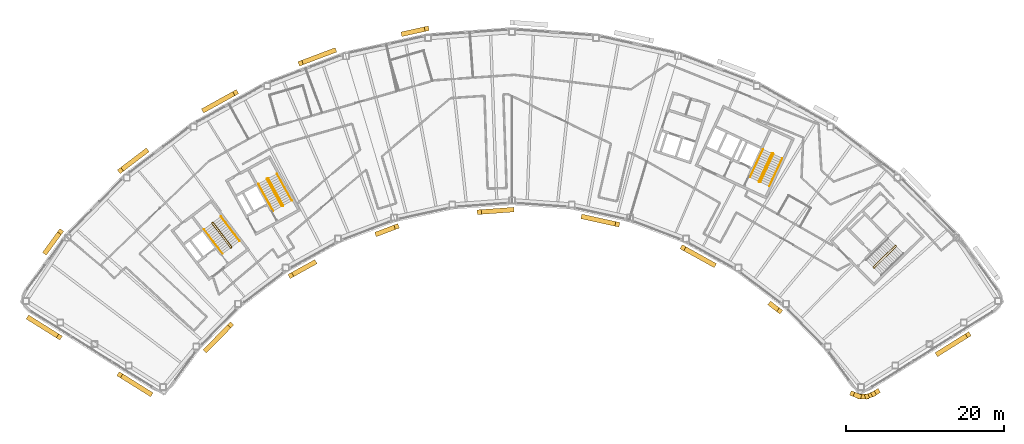
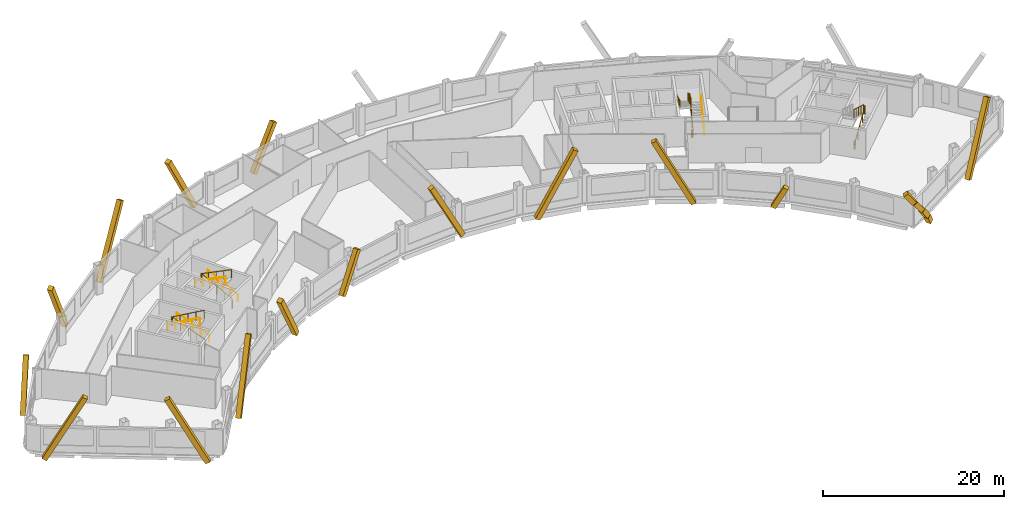
# One storey, part 11 of 12: 19 coverings, 10 railings.
"""IFC4 building model written with IfcOpenShell, lengths in metres."""

import ifcopenshell
import ifcopenshell.guid

model = None  # the IFC model being written
_history = None  # IfcOwnerHistory: only IFC2X3 demands one
_inside = {}  # id of a spatial element -> (the spatial element, [elements in it])
_under = {}  # id of a project, library or spatial element -> (it, [spatial elements below it])
_declared = {}  # id of a project -> (the project, [libraries it declares])
_typed = {}  # id of a type object -> (the type object, [elements of that type])
_made_of = {}  # id of a material, layer set ... -> (it, [elements and type objects made of it])


def new_model(schema):
    """Start an empty IFC model of exactly this schema.

    Asked for "IFC4X3", IfcOpenShell would pick the latest addendum, in which some entities
    have other attributes; the version numbers below select the first issue.
    IFC2X3 requires an IfcOwnerHistory on every rooted entity: one is made here for all.
    """
    global model, _history
    if schema == "IFC4X3":
        model = ifcopenshell.file(schema_version=(4, 3, 0, 0))
    else:
        model = ifcopenshell.file(schema=schema)
    _inside.clear()
    _under.clear()
    _declared.clear()
    _typed.clear()
    _made_of.clear()
    _history = None
    if model.schema == "IFC2X3":
        org = make("IfcOrganization", Name="unknown")
        user = make(
            "IfcPersonAndOrganization",
            ThePerson=make("IfcPerson", FamilyName="unknown"),
            TheOrganization=org,
        )
        app = make(
            "IfcApplication",
            ApplicationDeveloper=org,
            Version="unknown",
            ApplicationFullName="unknown",
            ApplicationIdentifier="unknown",
        )
        _history = make(
            "IfcOwnerHistory",
            OwningUser=user,
            OwningApplication=app,
            ChangeAction="ADDED",
            CreationDate=0,
        )
    return model


def make(cls, **values):
    """One entity of the class cls with the attributes given. An attribute that is None is left unset."""
    return model.create_entity(
        cls, **{name: value for name, value in values.items() if value is not None}
    )


def rooted(cls, **values):
    """An entity with a GlobalId (a new one), such as an element, a storey or a relation."""
    return make(cls, GlobalId=ifcopenshell.guid.new(), OwnerHistory=_history, **values)


def si_unit(unit_type, name, prefix=None):
    """IfcSIUnit, for example si_unit("LENGTHUNIT", "METRE", prefix="MILLI")."""
    return make("IfcSIUnit", UnitType=unit_type, Prefix=prefix, Name=name)


def assignment(units):
    """IfcUnitAssignment: the units of a project."""
    return None if units is None else make("IfcUnitAssignment", Units=units)


def point(xyz):
    """IfcCartesianPoint."""
    return None if xyz is None else make("IfcCartesianPoint", Coordinates=xyz)


def direction(xyz):
    """IfcDirection."""
    return None if xyz is None else make("IfcDirection", DirectionRatios=xyz)


def frame(location, z_axis=None, x_axis=None):
    """IfcAxis2Placement3D, a coordinate frame: its origin and axes. An axis left out is left unset."""
    return make(
        "IfcAxis2Placement3D",
        Location=point(location),
        Axis=direction(z_axis),
        RefDirection=direction(x_axis),
    )


def frame_2d(location, x_axis=None):
    """IfcAxis2Placement2D, a coordinate frame in the plane: its origin and x axis."""
    return make(
        "IfcAxis2Placement2D", Location=point(location), RefDirection=direction(x_axis)
    )


def origin():
    """The frame at (0, 0, 0) with its axes left unset."""
    return frame((0.0, 0.0, 0.0))


def origin_2d():
    """The frame at (0, 0) in the plane with its x axis left unset."""
    return frame_2d((0.0, 0.0))


def place(relative_to, where):
    """IfcLocalPlacement: puts the frame where relative to a parent placement (None: the world)."""
    return make(
        "IfcLocalPlacement", PlacementRelTo=relative_to, RelativePlacement=where
    )


def context(
    kind, dimensions, precision=None, world=None, true_north=None, identifier=None
):
    """IfcGeometricRepresentationContext, for example the 3D "Model" context."""
    return make(
        "IfcGeometricRepresentationContext",
        ContextIdentifier=identifier,
        ContextType=kind,
        CoordinateSpaceDimension=dimensions,
        Precision=precision,
        WorldCoordinateSystem=world,
        TrueNorth=true_north,
    )


def subcontext(parent, identifier, kind, view, scale=None):
    """IfcGeometricRepresentationSubContext, for example "Body" below "Model"."""
    return make(
        "IfcGeometricRepresentationSubContext",
        ContextIdentifier=identifier,
        ContextType=kind,
        ParentContext=parent,
        TargetScale=scale,
        TargetView=view,
    )


def project(units=None, contexts=None):
    """IfcProject with its units and contexts."""
    return rooted(
        "IfcProject",
        Name="project",
        RepresentationContexts=contexts,
        UnitsInContext=assignment(units),
    )


def spatial(cls, under=None, at=None, **own):
    """A site, building, storey or space (cls), placed at a placement, below another one or the project."""
    s = rooted(cls, ObjectPlacement=at, **own)
    if under is not None:
        _under.setdefault(under.id(), (under, []))[1].append(s)
    return s


def profile(cls, at=None, kind="AREA", **sizes):
    """A parametric profile (cls). Its sizes go by their IFC names, for example OverallWidth=200.0."""
    return make(cls, ProfileType=kind, Position=at, **sizes)


def rectangle(**sizes):
    """IfcRectangleProfileDef."""
    return profile("IfcRectangleProfileDef", **sizes)


def circle(**sizes):
    """IfcCircleProfileDef."""
    return profile("IfcCircleProfileDef", **sizes)


def extrude(swept, where, along, depth):
    """IfcExtrudedAreaSolid: the profile swept, set in the frame where, extruded along a direction by depth."""
    return make(
        "IfcExtrudedAreaSolid",
        SweptArea=swept,
        Position=where,
        ExtrudedDirection=direction(along),
        Depth=depth,
    )


def shape(context_of_items, identifier, shape_type, items):
    """IfcShapeRepresentation: the items that make up one representation, for example the "Body"."""
    return make(
        "IfcShapeRepresentation",
        ContextOfItems=context_of_items,
        RepresentationIdentifier=identifier,
        RepresentationType=shape_type,
        Items=items,
    )


def material(Name=None, Category=None):
    """IfcMaterial."""
    return make("IfcMaterial", Name=Name, Category=Category)


def material_profile(
    of_material, cross_section, Name=None, Category=None, Priority=None
):
    """IfcMaterialProfile: a cross section and its material."""
    return make(
        "IfcMaterialProfile",
        Name=Name,
        Material=of_material,
        Profile=cross_section,
        Priority=Priority,
        Category=Category,
    )


def profile_set(profiles, Name=None, composite=None):
    """IfcMaterialProfileSet."""
    return make(
        "IfcMaterialProfileSet",
        Name=Name,
        MaterialProfiles=profiles,
        CompositeProfile=composite,
    )


def made_of(thing, what):
    """Note that an element or type object is made of a material, layer set ...; save() writes the relation."""
    if what is not None:
        _made_of.setdefault(what.id(), (what, []))[1].append(thing)
    return thing


def type_object(cls, material=None, **own):
    """A type object (cls), such as IfcWallType, which elements share."""
    return made_of(rooted(cls, **own), material)


def element(
    cls,
    number,
    at=None,
    inside=None,
    cuts=None,
    type_object=None,
    material=None,
    context=None,
    identifier="Body",
    shape_type=None,
    held_by="IfcProductDefinitionShape",
    body=None,
    shapes=None,
    **own,
):
    """One element of the class cls, such as IfcWall. Its Tag is "e" and its number.

    at: its placement. inside: the storey or other place that contains it. cuts: it is an
    opening in that element (IfcRelVoidsElement). A single representation is given by context,
    identifier, shape_type and body (its items); several are given by shapes. held_by: the class
    of the entity that holds the representations. save() writes the other relations.
    """
    e = rooted(cls, Tag="e%d" % number, ObjectPlacement=at, **own)
    if body is not None:
        shapes = [shape(context, identifier, shape_type, body)]
    if shapes is not None:
        e.Representation = make(held_by, Representations=shapes)
    if inside is not None:
        _inside.setdefault(inside.id(), (inside, []))[1].append(e)
    if cuts is not None:
        rooted(
            "IfcRelVoidsElement", RelatingBuildingElement=cuts, RelatedOpeningElement=e
        )
    if type_object is not None:
        _typed.setdefault(type_object.id(), (type_object, []))[1].append(e)
    return made_of(e, material)


def aggregate(whole, parts):
    """IfcRelAggregates: a whole, such as a stair, and the parts it consists of."""
    return rooted("IfcRelAggregates", RelatingObject=whole, RelatedObjects=parts)


def save(model, path):
    """Write the relations noted so far, then the file.

    IfcRelAggregates (storeys below a building ...), IfcRelContainedInSpatialStructure (elements
    in a storey), IfcRelDefinesByType, IfcRelAssociatesMaterial and IfcRelDeclares: one each for
    every whole, place, type object, material and project.
    """
    for whole, parts in _under.values():
        aggregate(whole, parts)
    for where, things in _inside.values():
        rooted(
            "IfcRelContainedInSpatialStructure",
            RelatedElements=things,
            RelatingStructure=where,
        )
    for kind, things in _typed.values():
        rooted("IfcRelDefinesByType", RelatedObjects=things, RelatingType=kind)
    for what, things in _made_of.values():
        rooted("IfcRelAssociatesMaterial", RelatedObjects=things, RelatingMaterial=what)
    for by, libraries in _declared.values():
        rooted("IfcRelDeclares", RelatingContext=by, RelatedDefinitions=libraries)
    model.write(path)


model = new_model("IFC4")

# Units and contexts
model_context = context("Model", 3, precision=1e-05, world=origin(), true_north=direction((0.0, 1.0)))
body_context = subcontext(model_context, "Body", "Model", "MODEL_VIEW")
ifc_project = project(units=[si_unit("LENGTHUNIT", "METRE"), si_unit("AREAUNIT", "SQUARE_METRE"), si_unit("VOLUMEUNIT", "CUBIC_METRE"), si_unit("PLANEANGLEUNIT", "RADIAN"), si_unit("MASSUNIT", "GRAM", prefix="KILO")], contexts=[model_context])

# Site, building, storey
site_placement = place(None, origin())
site = spatial("IfcSite", under=ifc_project, at=site_placement, CompositionType="ELEMENT")
building_placement = place(site_placement, origin())
building = spatial("IfcBuilding", under=site, at=building_placement, Name="Tuul Gate Civic Tower", CompositionType="ELEMENT")
storey_placement = place(building_placement, frame((0.0, 0.0, 336.5)))
storey = spatial("IfcBuildingStorey", under=building, at=storey_placement, Name="Level 76", CompositionType="ELEMENT", Elevation=336.5)

# Railings
ifc_material_1 = material(Name="Painted steel", Category="steel")
railing_type_1 = type_object("IfcRailingType", Name="Stair guard", PredefinedType="GUARDRAIL", material=ifc_material_1)
railing_1_placement = place(storey_placement, frame((-33.382080078125, -13.515380859375, 0.0)))
element("IfcRailing", 1, at=railing_1_placement, inside=storey, type_object=railing_type_1, Name="Level 76 ST-1 stair guard 1", PredefinedType="GUARDRAIL", context=body_context, shape_type="SweptSolid", body=[
    extrude(circle(Radius=0.02392578125, at=origin_2d()), frame((0.0, 0.0, 1.076171875), z_axis=(-0.795879841968, -0.605454603706, 0.0), x_axis=(0.605454603706, -0.795879841968, 0.0)), (0.0, 0.0, 1.0), 0.10009765625),
    extrude(circle(Radius=0.02392578125, at=origin_2d()), frame((-0.07958984375, -0.060546875, 1.076171875), z_axis=(0.408991890351, 0.599481263939, 0.688002796371), x_axis=(-0.826063974707, 0.563576356576, 0.0)), (0.0, 0.0, 1.0), 0.2177734375),
    extrude(circle(Radius=0.02392578125, at=origin_2d()), frame((0.009521484375, 0.070068359375, 1.22607421875), z_axis=(-0.541810893183, 0.711627203922, 0.44724454012), x_axis=(-0.795637165283, -0.60577347352, 0.0)), (0.0, 0.0, 1.0), 4.3603515625),
    extrude(circle(Radius=0.02392578125, at=origin_2d()), frame((-2.35302734375, 3.173095703125, 3.17626953125), z_axis=(-0.990893089246, 0.134650977284, 0.0), x_axis=(-0.134650977284, -0.990893089246, 0.0)), (0.0, 0.0, 1.0), 0.07080078125),
    extrude(circle(Radius=0.02392578125, at=origin_2d()), frame((-2.423095703125, 3.1826171875, 3.17626953125), z_axis=(-0.793802879778, -0.60817512943, 0.0), x_axis=(0.60817512943, -0.793802879778, 0.0)), (0.0, 0.0, 1.0), 0.099853515625),
    extrude(circle(Radius=0.02392578125, at=origin_2d()), frame((-2.50244140625, 3.121826171875, 3.17626953125), z_axis=(-0.057447065493, -0.422751481959, 0.904423031091), x_axis=(0.990893089246, -0.134650977284, 0.0)), (0.0, 0.0, 1.0), 0.165771484375),
    extrude(circle(Radius=0.02392578125, at=origin_2d()), frame((-2.511962890625, 3.0517578125, 3.326171875), z_axis=(0.541806494602, -0.71163897684, 0.447231136047), x_axis=(0.795644365679, 0.605764016233, 0.0)), (0.0, 0.0, 1.0), 4.360107421875),
    extrude(circle(Radius=0.02099609375, at=origin_2d()), origin(), (0.0, 0.0, 1.0), 1.052001953125),
    extrude(circle(Radius=0.02099609375, at=origin_2d()), frame((-0.07958984375, -0.060546875, 0.0)), (0.0, 0.0, 1.0), 1.052001953125),
    extrude(circle(Radius=0.02099609375, at=origin_2d()), frame((0.009521484375, 0.070068359375, 0.14990234375)), (0.0, 0.0, 1.0), 1.052001953125),
    extrude(circle(Radius=0.02099609375, at=origin_2d()), frame((-0.5810546875, 0.845703125, 0.637451171875)), (0.0, 0.0, 1.0), 1.052001953125),
    extrude(circle(Radius=0.02099609375, at=origin_2d()), frame((-1.171875, 1.62158203125, 1.125)), (0.0, 0.0, 1.0), 1.052001953125),
    extrude(circle(Radius=0.02099609375, at=origin_2d()), frame((-1.762451171875, 2.3974609375, 1.612548828125)), (0.0, 0.0, 1.0), 1.052001953125),
    extrude(circle(Radius=0.02099609375, at=origin_2d()), frame((-2.35302734375, 3.173095703125, 2.10009765625)), (0.0, 0.0, 1.0), 1.052001953125),
    extrude(circle(Radius=0.02099609375, at=origin_2d()), frame((-2.423095703125, 3.1826171875, 2.10009765625)), (0.0, 0.0, 1.0), 1.052001953125),
    extrude(circle(Radius=0.02099609375, at=origin_2d()), frame((-2.50244140625, 3.121826171875, 2.10009765625)), (0.0, 0.0, 1.0), 1.052001953125),
    extrude(circle(Radius=0.02099609375, at=origin_2d()), frame((-2.511962890625, 3.0517578125, 2.25)), (0.0, 0.0, 1.0), 1.052001953125),
    extrude(circle(Radius=0.02099609375, at=origin_2d()), frame((-1.92138671875, 2.276123046875, 2.737548828125)), (0.0, 0.0, 1.0), 1.052001953125),
    extrude(circle(Radius=0.02099609375, at=origin_2d()), frame((-1.330810546875, 1.50048828125, 3.22509765625)), (0.0, 0.0, 1.0), 1.052001953125),
    extrude(circle(Radius=0.02099609375, at=origin_2d()), frame((-0.740234375, 0.724609375, 3.71240234375)), (0.0, 0.0, 1.0), 1.052001953125),
    extrude(circle(Radius=0.02099609375, at=origin_2d()), frame((-0.149658203125, -0.051025390625, 4.199951171875)), (0.0, 0.0, 1.0), 1.052001953125),
])
railing_2_placement = place(storey_placement, frame((-26.857666015625, -8.247314453125, 0.0)))
element("IfcRailing", 2, at=railing_2_placement, inside=storey, type_object=railing_type_1, Name="Level 76 ST-2 stair guard 1", PredefinedType="GUARDRAIL", context=body_context, shape_type="SweptSolid", body=[
    extrude(circle(Radius=0.02392578125, at=origin_2d()), frame((0.0, 0.0, 1.076171875), z_axis=(-0.874616555828, -0.48481530532, 0.0), x_axis=(0.48481530532, -0.874616555828, 0.0)), (0.0, 0.0, 1.0), 0.10009765625),
    extrude(circle(Radius=0.02392578125, at=origin_2d()), frame((-0.087646484375, -0.048583984375, 1.076171875), z_axis=(0.49081399482, 0.534516610797, 0.688036056665), x_axis=(-0.736576986774, 0.676353711126, 0.0)), (0.0, 0.0, 1.0), 0.2177734375),
    extrude(circle(Radius=0.02392578125, at=origin_2d()), frame((0.019287109375, 0.06787109375, 1.22607421875), z_axis=(-0.433539057192, 0.782307594871, 0.447256875739), x_axis=(-0.874667644053, -0.484723129681, 0.0)), (0.0, 0.0, 1.0), 4.3603515625),
    extrude(circle(Radius=0.02392578125, at=origin_2d()), frame((-1.87109375, 3.47900390625, 3.17626953125), z_axis=(-0.961263487578, 0.275631107549, 0.0), x_axis=(-0.275631107549, -0.961263487578, 0.0)), (0.0, 0.0, 1.0), 0.07080078125),
    extrude(circle(Radius=0.02392578125, at=origin_2d()), frame((-1.939208984375, 3.49853515625, 3.17626953125), z_axis=(-0.874042088414, -0.485850211157, 0.0), x_axis=(0.485850211157, -0.874042088414, 0.0)), (0.0, 0.0, 1.0), 0.10009765625),
    extrude(circle(Radius=0.02392578125, at=origin_2d()), frame((-2.026611328125, 3.449951171875, 3.17626953125), z_axis=(-0.117866478395, -0.409586012422, 0.90462522168), x_axis=(0.961000426733, -0.276546885391, 0.0)), (0.0, 0.0, 1.0), 0.165771484375),
    extrude(circle(Radius=0.02392578125, at=origin_2d()), frame((-2.046142578125, 3.382080078125, 3.326171875), z_axis=(0.433595379963, -0.782308193291, 0.447201226726), x_axis=(0.874641102302, 0.484771020343, 0.0)), (0.0, 0.0, 1.0), 4.3603515625),
    extrude(circle(Radius=0.02099609375, at=origin_2d()), origin(), (0.0, 0.0, 1.0), 1.052001953125),
    extrude(circle(Radius=0.02099609375, at=origin_2d()), frame((-0.087646484375, -0.048583984375, 0.0)), (0.0, 0.0, 1.0), 1.052001953125),
    extrude(circle(Radius=0.02099609375, at=origin_2d()), frame((0.019287109375, 0.06787109375, 0.14990234375)), (0.0, 0.0, 1.0), 1.052001953125),
    extrude(circle(Radius=0.02099609375, at=origin_2d()), frame((-0.453369140625, 0.920654296875, 0.637451171875)), (0.0, 0.0, 1.0), 1.052001953125),
    extrude(circle(Radius=0.02099609375, at=origin_2d()), frame((-0.92578125, 1.7734375, 1.125)), (0.0, 0.0, 1.0), 1.052001953125),
    extrude(circle(Radius=0.02099609375, at=origin_2d()), frame((-1.3984375, 2.626220703125, 1.612548828125)), (0.0, 0.0, 1.0), 1.052001953125),
    extrude(circle(Radius=0.02099609375, at=origin_2d()), frame((-1.87109375, 3.47900390625, 2.10009765625)), (0.0, 0.0, 1.0), 1.052001953125),
    extrude(circle(Radius=0.02099609375, at=origin_2d()), frame((-1.939208984375, 3.49853515625, 2.10009765625)), (0.0, 0.0, 1.0), 1.052001953125),
    extrude(circle(Radius=0.02099609375, at=origin_2d()), frame((-2.026611328125, 3.449951171875, 2.10009765625)), (0.0, 0.0, 1.0), 1.052001953125),
    extrude(circle(Radius=0.02099609375, at=origin_2d()), frame((-2.046142578125, 3.382080078125, 2.25)), (0.0, 0.0, 1.0), 1.052001953125),
    extrude(circle(Radius=0.02099609375, at=origin_2d()), frame((-1.573486328125, 2.529296875, 2.737548828125)), (0.0, 0.0, 1.0), 1.052001953125),
    extrude(circle(Radius=0.02099609375, at=origin_2d()), frame((-1.100830078125, 1.676513671875, 3.22509765625)), (0.0, 0.0, 1.0), 1.052001953125),
    extrude(circle(Radius=0.02099609375, at=origin_2d()), frame((-0.628173828125, 0.82373046875, 3.71240234375)), (0.0, 0.0, 1.0), 1.052001953125),
    extrude(circle(Radius=0.02099609375, at=origin_2d()), frame((-0.155517578125, -0.029052734375, 4.199951171875)), (0.0, 0.0, 1.0), 1.052001953125),
])
railing_3_placement = place(storey_placement, frame((48.10546875, -16.134765625, 0.0)))
element("IfcRailing", 3, at=railing_3_placement, inside=storey, type_object=railing_type_1, Name="Level 76 ST-3 stair guard 1", PredefinedType="GUARDRAIL", context=body_context, shape_type="SweptSolid", body=[
    extrude(circle(Radius=0.02392578125, at=origin_2d()), frame((0.0, 0.0, 1.076171875), z_axis=(-0.698506948293, 0.715603272202, 0.0), x_axis=(-0.715603272202, -0.698506948293, 0.0)), (0.0, 0.0, 1.0), 0.099853515625),
    extrude(circle(Radius=0.02392578125, at=origin_2d()), frame((-0.06982421875, 0.071533203125, 1.076171875), z_axis=(0.645446321009, -0.331687692741, 0.688027849131), x_axis=(0.457068866502, 0.889431307788, 0.0)), (0.0, 0.0, 1.0), 0.2177734375),
    extrude(circle(Radius=0.02392578125, at=origin_2d()), frame((0.07080078125, -0.000732421875, 1.22607421875), z_axis=(0.638715268259, 0.626117886127, 0.447235059857), x_axis=(-0.700029477518, 0.714113947914, 0.0)), (0.0, 0.0, 1.0), 4.360595703125),
    extrude(circle(Radius=0.02392578125, at=origin_2d()), frame((2.85595703125, 2.7294921875, 3.17626953125), z_axis=(0.010380063588, 0.999946125689, 0.0), x_axis=(-0.999946125689, 0.010380063588, 0.0)), (0.0, 0.0, 1.0), 0.070556640625),
    extrude(circle(Radius=0.02392578125, at=origin_2d()), frame((2.856689453125, 2.800048828125, 3.17626953125), z_axis=(-0.699754442181, 0.714383454909, 0.0), x_axis=(-0.714383454909, -0.699754442181, 0.0)), (0.0, 0.0, 1.0), 0.10009765625),
    extrude(circle(Radius=0.02392578125, at=origin_2d()), frame((2.78662109375, 2.87158203125, 3.17626953125), z_axis=(-0.427069033481, 0.004417955519, 0.904208229508), x_axis=(-0.010344274102, -0.999946496565, 0.0)), (0.0, 0.0, 1.0), 0.165771484375),
    extrude(circle(Radius=0.02392578125, at=origin_2d()), frame((2.7158203125, 2.872314453125, 3.326171875), z_axis=(-0.638731261263, -0.626133563701, 0.447190268558), x_axis=(0.700029477518, -0.714113947914, 0.0)), (0.0, 0.0, 1.0), 4.3603515625),
    extrude(circle(Radius=0.02099609375, at=origin_2d()), origin(), (0.0, 0.0, 1.0), 1.052001953125),
    extrude(circle(Radius=0.02099609375, at=origin_2d()), frame((-0.06982421875, 0.071533203125, 0.0)), (0.0, 0.0, 1.0), 1.052001953125),
    extrude(circle(Radius=0.02099609375, at=origin_2d()), frame((0.07080078125, -0.000732421875, 0.14990234375)), (0.0, 0.0, 1.0), 1.052001953125),
    extrude(circle(Radius=0.02099609375, at=origin_2d()), frame((0.76708984375, 0.681884765625, 0.637451171875)), (0.0, 0.0, 1.0), 1.052001953125),
    extrude(circle(Radius=0.02099609375, at=origin_2d()), frame((1.46337890625, 1.3642578125, 1.125)), (0.0, 0.0, 1.0), 1.052001953125),
    extrude(circle(Radius=0.02099609375, at=origin_2d()), frame((2.15966796875, 2.046875, 1.612548828125)), (0.0, 0.0, 1.0), 1.052001953125),
    extrude(circle(Radius=0.02099609375, at=origin_2d()), frame((2.85595703125, 2.7294921875, 2.10009765625)), (0.0, 0.0, 1.0), 1.052001953125),
    extrude(circle(Radius=0.02099609375, at=origin_2d()), frame((2.856689453125, 2.800048828125, 2.10009765625)), (0.0, 0.0, 1.0), 1.052001953125),
    extrude(circle(Radius=0.02099609375, at=origin_2d()), frame((2.78662109375, 2.87158203125, 2.10009765625)), (0.0, 0.0, 1.0), 1.052001953125),
    extrude(circle(Radius=0.02099609375, at=origin_2d()), frame((2.7158203125, 2.872314453125, 2.25)), (0.0, 0.0, 1.0), 1.052001953125),
    extrude(circle(Radius=0.02099609375, at=origin_2d()), frame((2.01953125, 2.189697265625, 2.737548828125)), (0.0, 0.0, 1.0), 1.052001953125),
    extrude(circle(Radius=0.02099609375, at=origin_2d()), frame((1.3232421875, 1.50732421875, 3.22509765625)), (0.0, 0.0, 1.0), 1.052001953125),
    extrude(circle(Radius=0.02099609375, at=origin_2d()), frame((0.626953125, 0.82470703125, 3.71240234375)), (0.0, 0.0, 1.0), 1.052001953125),
    extrude(circle(Radius=0.02099609375, at=origin_2d()), frame((-0.0693359375, 0.14208984375, 4.199951171875)), (0.0, 0.0, 1.0), 1.052001953125),
])
railing_4_placement = place(storey_placement, frame((33.645751953125, -5.238525390625, 0.0)))
element("IfcRailing", 4, at=railing_4_placement, inside=storey, type_object=railing_type_1, Name="Level 76 ST-4 stair guard 1", PredefinedType="GUARDRAIL", context=body_context, shape_type="SweptSolid", body=[
    extrude(circle(Radius=0.02392578125, at=origin_2d()), frame((0.0, 0.0, 1.076171875), z_axis=(-0.906307919131, 0.422617978463, 0.0), x_axis=(-0.422617978463, -0.906307919131, 0.0)), (0.0, 0.0, 1.0), 0.099853515625),
    extrude(circle(Radius=0.02392578125, at=origin_2d()), frame((-0.090576171875, 0.042236328125, 1.076171875), z_axis=(0.720735628292, -0.082946246491, 0.688229666829), x_axis=(0.114330889033, 0.993442724979, 0.0)), (0.0, 0.0, 1.0), 0.2177734375),
    extrude(circle(Radius=0.02392578125, at=origin_2d()), frame((0.06640625, 0.024169921875, 1.22607421875), z_axis=(0.377937439636, 0.810633814971, 0.447253965602), x_axis=(-0.906336612539, 0.422556439746, 0.0)), (0.0, 0.0, 1.0), 4.3603515625),
    extrude(circle(Radius=0.02392578125, at=origin_2d()), frame((1.71435546875, 3.558837890625, 3.17626953125), z_axis=(-0.342020437038, 0.939692513883, 0.0), x_axis=(-0.939692513883, -0.342020437038, 0.0)), (0.0, 0.0, 1.0), 0.070556640625),
    extrude(circle(Radius=0.02392578125, at=origin_2d()), frame((1.690185546875, 3.625244140625, 3.17626953125), z_axis=(-0.906307919131, 0.422617978463, 0.0), x_axis=(-0.422617978463, -0.906307919131, 0.0)), (0.0, 0.0, 1.0), 0.099853515625),
    extrude(circle(Radius=0.02392578125, at=origin_2d()), frame((1.599609375, 3.66748046875, 3.17626953125), z_axis=(-0.40070210376, -0.145843780413, 0.904526072458), x_axis=(0.342020437038, -0.939692513883, 0.0)), (0.0, 0.0, 1.0), 0.165771484375),
    extrude(circle(Radius=0.02392578125, at=origin_2d()), frame((1.533203125, 3.643310546875, 3.326171875), z_axis=(-0.377946903738, -0.810654114417, 0.447209173356), x_axis=(0.906336612539, -0.422556439746, 0.0)), (0.0, 0.0, 1.0), 4.3603515625),
    extrude(circle(Radius=0.02099609375, at=origin_2d()), origin(), (0.0, 0.0, 1.0), 1.052001953125),
    extrude(circle(Radius=0.02099609375, at=origin_2d()), frame((-0.090576171875, 0.042236328125, 0.0)), (0.0, 0.0, 1.0), 1.052001953125),
    extrude(circle(Radius=0.02099609375, at=origin_2d()), frame((0.06640625, 0.024169921875, 0.14990234375)), (0.0, 0.0, 1.0), 1.052001953125),
    extrude(circle(Radius=0.02099609375, at=origin_2d()), frame((0.478515625, 0.90771484375, 0.637451171875)), (0.0, 0.0, 1.0), 1.052001953125),
    extrude(circle(Radius=0.02099609375, at=origin_2d()), frame((0.890380859375, 1.79150390625, 1.125)), (0.0, 0.0, 1.0), 1.052001953125),
    extrude(circle(Radius=0.02099609375, at=origin_2d()), frame((1.30224609375, 2.67529296875, 1.612548828125)), (0.0, 0.0, 1.0), 1.052001953125),
    extrude(circle(Radius=0.02099609375, at=origin_2d()), frame((1.71435546875, 3.558837890625, 2.10009765625)), (0.0, 0.0, 1.0), 1.052001953125),
    extrude(circle(Radius=0.02099609375, at=origin_2d()), frame((1.690185546875, 3.625244140625, 2.10009765625)), (0.0, 0.0, 1.0), 1.052001953125),
    extrude(circle(Radius=0.02099609375, at=origin_2d()), frame((1.599609375, 3.66748046875, 2.10009765625)), (0.0, 0.0, 1.0), 1.052001953125),
    extrude(circle(Radius=0.02099609375, at=origin_2d()), frame((1.533203125, 3.643310546875, 2.25)), (0.0, 0.0, 1.0), 1.052001953125),
    extrude(circle(Radius=0.02099609375, at=origin_2d()), frame((1.12109375, 2.759765625, 2.737548828125)), (0.0, 0.0, 1.0), 1.052001953125),
    extrude(circle(Radius=0.02099609375, at=origin_2d()), frame((0.709228515625, 1.8759765625, 3.22509765625)), (0.0, 0.0, 1.0), 1.052001953125),
    extrude(circle(Radius=0.02099609375, at=origin_2d()), frame((0.29736328125, 0.9921875, 3.71240234375)), (0.0, 0.0, 1.0), 1.052001953125),
    extrude(circle(Radius=0.02099609375, at=origin_2d()), frame((-0.11474609375, 0.108642578125, 4.199951171875)), (0.0, 0.0, 1.0), 1.052001953125),
])
ifc_material_2 = material(Name="Painted steel", Category="steel")
railing_type_2 = type_object("IfcRailingType", Name="Stair handrail", PredefinedType="HANDRAIL", material=ifc_material_2)
railing_5_placement = place(storey_placement, frame((-32.3779296875, -12.688232421875, 0.14990234375)))
element("IfcRailing", 5, at=railing_5_placement, inside=storey, type_object=railing_type_2, Name="Level 76 ST-1 stair handrail 1", PredefinedType="HANDRAIL", context=body_context, shape_type="SweptSolid", body=[
    extrude(circle(Radius=0.02392578125, at=origin_2d()), frame((0.0, 0.0, 0.8759765625), z_axis=(-0.541810893183, 0.711627203922, 0.44724454012), x_axis=(-0.795637165283, -0.60577347352, 0.0)), (0.0, 0.0, 1.0), 4.3603515625),
    extrude(circle(Radius=0.02099609375, at=origin_2d()), origin(), (0.0, 0.0, 1.0), 0.851806640625),
    extrude(circle(Radius=0.02099609375, at=origin_2d()), frame((-0.590576171875, 0.77587890625, 0.487548828125)), (0.0, 0.0, 1.0), 0.851806640625),
    extrude(circle(Radius=0.02099609375, at=origin_2d()), frame((-1.18115234375, 1.551513671875, 0.97509765625)), (0.0, 0.0, 1.0), 0.851806640625),
    extrude(circle(Radius=0.02099609375, at=origin_2d()), frame((-1.77197265625, 2.3271484375, 1.462646484375)), (0.0, 0.0, 1.0), 0.851806640625),
    extrude(circle(Radius=0.02099609375, at=origin_2d()), frame((-2.362548828125, 3.10302734375, 1.9501953125)), (0.0, 0.0, 1.0), 0.851806640625),
])
railing_6_placement = place(storey_placement, frame((-36.888671875, -11.220703125, 2.25)))
element("IfcRailing", 6, at=railing_6_placement, inside=storey, type_object=railing_type_2, Name="Level 76 ST-1 stair handrail 2", PredefinedType="HANDRAIL", context=body_context, shape_type="SweptSolid", body=[
    extrude(circle(Radius=0.02392578125, at=origin_2d()), frame((0.0, 0.0, 0.8759765625), z_axis=(0.541824460341, -0.711645023348, 0.447199748346), x_axis=(0.795637165283, 0.60577347352, 0.0)), (0.0, 0.0, 1.0), 4.3603515625),
    extrude(circle(Radius=0.02099609375, at=origin_2d()), origin(), (0.0, 0.0, 1.0), 0.851806640625),
    extrude(circle(Radius=0.02099609375, at=origin_2d()), frame((0.590576171875, -0.77587890625, 0.487548828125)), (0.0, 0.0, 1.0), 0.851806640625),
    extrude(circle(Radius=0.02099609375, at=origin_2d()), frame((1.18115234375, -1.551513671875, 0.97509765625)), (0.0, 0.0, 1.0), 0.851806640625),
    extrude(circle(Radius=0.02099609375, at=origin_2d()), frame((1.77197265625, -2.3271484375, 1.46240234375)), (0.0, 0.0, 1.0), 0.851806640625),
    extrude(circle(Radius=0.02099609375, at=origin_2d()), frame((2.362548828125, -3.10302734375, 1.949951171875)), (0.0, 0.0, 1.0), 0.851806640625),
])
railing_7_placement = place(storey_placement, frame((-25.744873046875, -7.573486328125, 0.14990234375)))
element("IfcRailing", 7, at=railing_7_placement, inside=storey, type_object=railing_type_2, Name="Level 76 ST-2 stair handrail 1", PredefinedType="HANDRAIL", context=body_context, shape_type="SweptSolid", body=[
    extrude(circle(Radius=0.02392578125, at=origin_2d()), frame((0.0, 0.0, 0.8759765625), z_axis=(-0.433584522764, 0.782288604346, 0.447246018574), x_axis=(-0.874641102302, -0.484771020343, 0.0)), (0.0, 0.0, 1.0), 4.3603515625),
    extrude(circle(Radius=0.02099609375, at=origin_2d()), origin(), (0.0, 0.0, 1.0), 0.851806640625),
    extrude(circle(Radius=0.02099609375, at=origin_2d()), frame((-0.47265625, 0.852783203125, 0.487548828125)), (0.0, 0.0, 1.0), 0.851806640625),
    extrude(circle(Radius=0.02099609375, at=origin_2d()), frame((-0.9453125, 1.70556640625, 0.97509765625)), (0.0, 0.0, 1.0), 0.851806640625),
    extrude(circle(Radius=0.02099609375, at=origin_2d()), frame((-1.41796875, 2.558349609375, 1.462646484375)), (0.0, 0.0, 1.0), 0.851806640625),
    extrude(circle(Radius=0.02099609375, at=origin_2d()), frame((-1.890625, 3.4111328125, 1.9501953125)), (0.0, 0.0, 1.0), 0.851806640625),
])
railing_8_placement = place(storey_placement, frame((-29.9970703125, -5.47119140625, 2.25)))
element("IfcRailing", 8, at=railing_8_placement, inside=storey, type_object=railing_type_2, Name="Level 76 ST-2 stair handrail 2", PredefinedType="HANDRAIL", context=body_context, shape_type="SweptSolid", body=[
    extrude(circle(Radius=0.02392578125, at=origin_2d()), frame((0.0, 0.0, 0.8759765625), z_axis=(0.433595379963, -0.782308193291, 0.447201226726), x_axis=(0.874641102302, 0.484771020343, 0.0)), (0.0, 0.0, 1.0), 4.3603515625),
    extrude(circle(Radius=0.02099609375, at=origin_2d()), origin(), (0.0, 0.0, 1.0), 0.851806640625),
    extrude(circle(Radius=0.02099609375, at=origin_2d()), frame((0.47265625, -0.852783203125, 0.487548828125)), (0.0, 0.0, 1.0), 0.851806640625),
    extrude(circle(Radius=0.02099609375, at=origin_2d()), frame((0.9453125, -1.70556640625, 0.97509765625)), (0.0, 0.0, 1.0), 0.851806640625),
    extrude(circle(Radius=0.02099609375, at=origin_2d()), frame((1.41796875, -2.558349609375, 1.46240234375)), (0.0, 0.0, 1.0), 0.851806640625),
    extrude(circle(Radius=0.02099609375, at=origin_2d()), frame((1.890625, -3.4111328125, 1.949951171875)), (0.0, 0.0, 1.0), 0.851806640625),
])
railing_9_placement = place(storey_placement, frame((34.844970703125, -5.74267578125, 0.14990234375)))
element("IfcRailing", 9, at=railing_9_placement, inside=storey, type_object=railing_type_2, Name="Level 76 ST-4 stair handrail 1", PredefinedType="HANDRAIL", context=body_context, shape_type="SweptSolid", body=[
    extrude(circle(Radius=0.02392578125, at=origin_2d()), frame((0.0, 0.0, 0.8759765625), z_axis=(0.377985431313, 0.810616660428, 0.447244500863), x_axis=(-0.906312636903, 0.422607861012, 0.0)), (0.0, 0.0, 1.0), 4.3603515625),
    extrude(circle(Radius=0.02099609375, at=origin_2d()), origin(), (0.0, 0.0, 1.0), 0.851806640625),
    extrude(circle(Radius=0.02099609375, at=origin_2d()), frame((0.412109375, 0.8837890625, 0.487548828125)), (0.0, 0.0, 1.0), 0.851806640625),
    extrude(circle(Radius=0.02099609375, at=origin_2d()), frame((0.82421875, 1.767333984375, 0.97509765625)), (0.0, 0.0, 1.0), 0.851806640625),
    extrude(circle(Radius=0.02099609375, at=origin_2d()), frame((1.236083984375, 2.65087890625, 1.462646484375)), (0.0, 0.0, 1.0), 0.851806640625),
    extrude(circle(Radius=0.02099609375, at=origin_2d()), frame((1.648193359375, 3.53466796875, 1.9501953125)), (0.0, 0.0, 1.0), 0.851806640625),
])
railing_10_placement = place(storey_placement, frame((34.046142578125, -1.06689453125, 2.25)))
element("IfcRailing", 10, at=railing_10_placement, inside=storey, type_object=railing_type_2, Name="Level 76 ST-4 stair handrail 2", PredefinedType="HANDRAIL", context=body_context, shape_type="SweptSolid", body=[
    extrude(circle(Radius=0.02392578125, at=origin_2d()), frame((0.0, 0.0, 0.8759765625), z_axis=(-0.377994896215, -0.810636958585, 0.447199709091), x_axis=(0.906312636903, -0.422607861012, 0.0)), (0.0, 0.0, 1.0), 4.3603515625),
    extrude(circle(Radius=0.02099609375, at=origin_2d()), origin(), (0.0, 0.0, 1.0), 0.851806640625),
    extrude(circle(Radius=0.02099609375, at=origin_2d()), frame((-0.412109375, -0.8837890625, 0.487548828125)), (0.0, 0.0, 1.0), 0.851806640625),
    extrude(circle(Radius=0.02099609375, at=origin_2d()), frame((-0.82421875, -1.767333984375, 0.97509765625)), (0.0, 0.0, 1.0), 0.851806640625),
    extrude(circle(Radius=0.02099609375, at=origin_2d()), frame((-1.236083984375, -2.65087890625, 1.46240234375)), (0.0, 0.0, 1.0), 0.851806640625),
    extrude(circle(Radius=0.02099609375, at=origin_2d()), frame((-1.648193359375, -3.53466796875, 1.949951171875)), (0.0, 0.0, 1.0), 0.851806640625),
])

# Coverings
ifc_material_3 = material(Name="Terracotta baguette", Category="masonry")
ifc_material_profile = material_profile(ifc_material_3, rectangle(XDim=0.60009765625, YDim=0.60009765625, at=origin_2d()), Name="Terracotta baguette screen frame")
ifc_profile_set = profile_set([ifc_material_profile], Name="Terracotta baguette")
covering_type = type_object("IfcCoveringType", Name="Terracotta baguette screen frame", PredefinedType="CLADDING", material=ifc_profile_set)
covering_1_placement = place(storey_placement, frame((56.25439453125, -26.996337890625, -0.35009765625), z_axis=(0.402307996588, 0.251352948263, 0.880323787751), x_axis=(-0.529863185224, 0.848083135633, 0.0)))
element("IfcCovering", 11, at=covering_1_placement, inside=storey, type_object=covering_type, Name="Baguette 2", PredefinedType="CLADDING", context=body_context, shape_type="SweptSolid", body=[
    extrude(rectangle(XDim=0.60009765625, YDim=0.60009765625, at=origin_2d()), origin(), (0.0, 0.0, 1.0), 9.5419921875),
])
covering_2_placement = place(storey_placement, frame((-8.63037109375, 14.2470703125, 5.255615234375), z_axis=(-0.464003617569, -0.10224328144, -0.879913037909), x_axis=(0.215187960952, -0.976572650376, 0.0)))
element("IfcCovering", 12, at=covering_2_placement, inside=storey, type_object=covering_type, Name="Baguette 84", PredefinedType="CLADDING", context=body_context, shape_type="SweptSolid", body=[
    extrude(rectangle(XDim=0.60009765625, YDim=0.60009765625, at=origin_2d()), origin(), (0.0, 0.0, 1.0), 6.370849609375),
])
for number, where, z_axis, x_axis, name in (
    (13, (-24.637939453125, 9.865478515625, 8.050048828125), (0.444437096235, 0.168092815096, -0.879897990112), (-0.353758489664, 0.935336800832, 0.0), "Baguette 98"),
    (14, (-32.880615234375, 6.13134765625, 8.050048828125), (-0.415592252992, -0.230339020534, -0.879901707506), (0.484765303515, -0.874644270837, 0.0), "Baguette 103"),
):
    element("IfcCovering", number, at=place(storey_placement, frame(where, z_axis=z_axis, x_axis=x_axis)), inside=storey, type_object=covering_type, Name=name, PredefinedType="CLADDING", context=body_context, shape_type="SweptSolid", body=[
        extrude(rectangle(XDim=0.60009765625, YDim=0.60009765625, at=origin_2d()), origin(), (0.0, 0.0, 1.0), 9.546630859375),
    ])
covering_3_placement = place(storey_placement, frame((-47.501708984375, -3.76123046875, 7.220947265625), z_axis=(0.378051292812, 0.28785127331, -0.879897076059), x_axis=(-0.605793108402, 0.79562221551, 0.0)))
element("IfcCovering", 15, at=covering_3_placement, inside=storey, type_object=covering_type, Name="Baguette 119", PredefinedType="CLADDING", context=body_context, shape_type="SweptSolid", body=[
    extrude(rectangle(XDim=0.60009765625, YDim=0.60009765625, at=origin_2d()), origin(), (0.0, 0.0, 1.0), 8.6044921875),
])
covering_4_placement = place(storey_placement, frame((-55.09765625, -11.509765625, 5.5859375), z_axis=(-0.281332695799, -0.385255540514, -0.878880016144), x_axis=(0.807590994458, -0.589742982723, 0.0)))
element("IfcCovering", 16, at=covering_4_placement, inside=storey, type_object=covering_type, Name="Baguette 126", PredefinedType="CLADDING", context=body_context, shape_type="SweptSolid", body=[
    extrude(rectangle(XDim=0.60009765625, YDim=0.60009765625, at=origin_2d()), origin(), (0.0, 0.0, 1.0), 6.754150390625),
])
covering_5_placement = place(storey_placement, frame((-55.253662109375, -24.88232421875, 8.050048828125), z_axis=(-0.402283964458, 0.251379504598, -0.880327187248), x_axis=(-0.529926214669, -0.848043753002, 0.0)))
element("IfcCovering", 17, at=covering_5_placement, inside=storey, type_object=covering_type, Name="Baguette 151", PredefinedType="CLADDING", context=body_context, shape_type="SweptSolid", body=[
    extrude(rectangle(XDim=0.60009765625, YDim=0.60009765625, at=origin_2d()), origin(), (0.0, 0.0, 1.0), 9.5419921875),
])
covering_6_placement = place(storey_placement, frame((-47.576171875, -29.6796875, 8.050048828125), z_axis=(0.402305409232, -0.251376917178, -0.880318126141), x_axis=(0.529901976461, 0.848058898511, 0.0)))
element("IfcCovering", 18, at=covering_6_placement, inside=storey, type_object=covering_type, Name="Baguette 155", PredefinedType="CLADDING", context=body_context, shape_type="SweptSolid", body=[
    extrude(rectangle(XDim=0.60009765625, YDim=0.60009765625, at=origin_2d()), origin(), (0.0, 0.0, 1.0), 9.542236328125),
])
covering_7_placement = place(storey_placement, frame((-33.515869140625, -23.349853515625, 8.050048828125), z_axis=(-0.326351691363, -0.332831412937, -0.884713413545), x_axis=(0.714023092705, -0.700122148688, 0.0)))
element("IfcCovering", 19, at=covering_7_placement, inside=storey, type_object=covering_type, Name="Baguette 183", PredefinedType="CLADDING", context=body_context, shape_type="SweptSolid", body=[
    extrude(rectangle(XDim=0.60009765625, YDim=0.60009765625, at=origin_2d()), origin(), (0.0, 0.0, 1.0), 9.494873046875),
])
covering_8_placement = place(storey_placement, frame((-25.876953125, -17.08349609375, 6.06201171875), z_axis=(0.407696210898, 0.225962668983, -0.884717283569), x_axis=(-0.484765259291, 0.874644295348, 0.0)))
element("IfcCovering", 20, at=covering_8_placement, inside=storey, type_object=covering_type, Name="Baguette 191", PredefinedType="CLADDING", context=body_context, shape_type="SweptSolid", body=[
    extrude(rectangle(XDim=0.60009765625, YDim=0.60009765625, at=origin_2d()), origin(), (0.0, 0.0, 1.0), 7.24755859375),
])
covering_9_placement = place(storey_placement, frame((-12.450439453125, -10.86376953125, 4.594970703125), z_axis=(-0.436036183955, -0.164883962179, -0.884695272565), x_axis=(0.353699371155, -0.935359158209, 0.0)))
element("IfcCovering", 21, at=covering_9_placement, inside=storey, type_object=covering_type, Name="Baguette 209", PredefinedType="CLADDING", context=body_context, shape_type="SweptSolid", body=[
    extrude(rectangle(XDim=0.60009765625, YDim=0.60009765625, at=origin_2d()), origin(), (0.0, 0.0, 1.0), 5.589599609375),
])
covering_10_placement = place(storey_placement, frame((-1.96044921875, -9.031982421875, 8.050048828125), z_axis=(0.464920662797, 0.03370456122, -0.884710562759), x_axis=(-0.072305541975, 0.997382528722, 0.0)))
element("IfcCovering", 22, at=covering_10_placement, inside=storey, type_object=covering_type, Name="Baguette 216", PredefinedType="CLADDING", context=body_context, shape_type="SweptSolid", body=[
    extrude(rectangle(XDim=0.60009765625, YDim=0.60009765625, at=origin_2d()), origin(), (0.0, 0.0, 1.0), 8.931396484375),
])
for number, where, z_axis, x_axis, name in (
    (23, (15.569580078125, -10.5849609375, 8.050048828125), (-0.455222659442, 0.100332061519, -0.884706622425), (-0.215236378617, -0.976561980276, 0.0), "Baguette 232"),
    (24, (23.894287109375, -13.5546875, 8.050048828125), (0.407704791436, -0.225991259582, -0.884706026674), (0.484804374507, 0.87462261488, 0.0), "Baguette 238"),
):
    element("IfcCovering", number, at=place(storey_placement, frame(where, z_axis=z_axis, x_axis=x_axis)), inside=storey, type_object=covering_type, Name=name, PredefinedType="CLADDING", context=body_context, shape_type="SweptSolid", body=[
        extrude(rectangle(XDim=0.60009765625, YDim=0.60009765625, at=origin_2d()), origin(), (0.0, 0.0, 1.0), 9.494873046875),
    ])
covering_11_placement = place(storey_placement, frame((36.162353515625, -21.577880859375, 2.343505859375), z_axis=(-0.370795578581, 0.282426909118, -0.884729156246), x_axis=(-0.605929173105, -0.795518596376, 0.0)))
element("IfcCovering", 25, at=covering_11_placement, inside=storey, type_object=covering_type, Name="Baguette 255", PredefinedType="CLADDING", context=body_context, shape_type="SweptSolid", body=[
    extrude(rectangle(XDim=0.60009765625, YDim=0.60009765625, at=origin_2d()), origin(), (0.0, 0.0, 1.0), 3.04443359375),
])
covering_12_placement = place(storey_placement, frame((45.35791015625, -32.0703125, 4.6123046875), z_axis=(0.559899450103, -0.222872596643, -0.79802281386), x_axis=(0.369834920181, 0.929097482407, 0.0)))
element("IfcCovering", 26, at=covering_12_placement, inside=storey, type_object=covering_type, Name="Baguette 272", PredefinedType="CLADDING", context=body_context, shape_type="SweptSolid", body=[
    extrude(rectangle(XDim=0.60009765625, YDim=0.60009765625, at=origin_2d()), origin(), (0.0, 0.0, 1.0), 1.616943359375),
])
covering_13_placement = place(storey_placement, frame((46.26318359375, -32.4306640625, 3.322021484375), z_axis=(0.602776661081, -0.001662623689, -0.79790822313), x_axis=(0.002758264332, 0.999996195982, 0.0)))
element("IfcCovering", 27, at=covering_13_placement, inside=storey, type_object=covering_type, Name="Baguette 273", PredefinedType="CLADDING", context=body_context, shape_type="SweptSolid", body=[
    extrude(rectangle(XDim=0.60009765625, YDim=0.60009765625, at=origin_2d()), origin(), (0.0, 0.0, 1.0), 1.615234375),
])
covering_14_placement = place(storey_placement, frame((47.23681640625, -32.433349609375, 2.033203125), z_axis=(0.534010599825, 0.208015756909, -0.819488940836), x_axis=(-0.362969067807, 0.931801188997, 0.0)))
element("IfcCovering", 28, at=covering_14_placement, inside=storey, type_object=covering_type, Name="Baguette 274", PredefinedType="CLADDING", context=body_context, shape_type="SweptSolid", body=[
    extrude(rectangle(XDim=0.60009765625, YDim=0.60009765625, at=origin_2d()), origin(), (0.0, 0.0, 1.0), 1.57275390625),
])
covering_15_placement = place(storey_placement, frame((48.07666015625, -32.106201171875, 0.744384765625), z_axis=(0.402352266006, 0.251347438013, -0.880305128603), x_axis=(-0.52981289744, 0.848114552231, 0.0)))
element("IfcCovering", 29, at=covering_15_placement, inside=storey, type_object=covering_type, Name="Baguette 275", PredefinedType="CLADDING", context=body_context, shape_type="SweptSolid", body=[
    extrude(rectangle(XDim=0.60009765625, YDim=0.60009765625, at=origin_2d()), origin(), (0.0, 0.0, 1.0), 1.243408203125),
])

save(model, "model.ifc")
